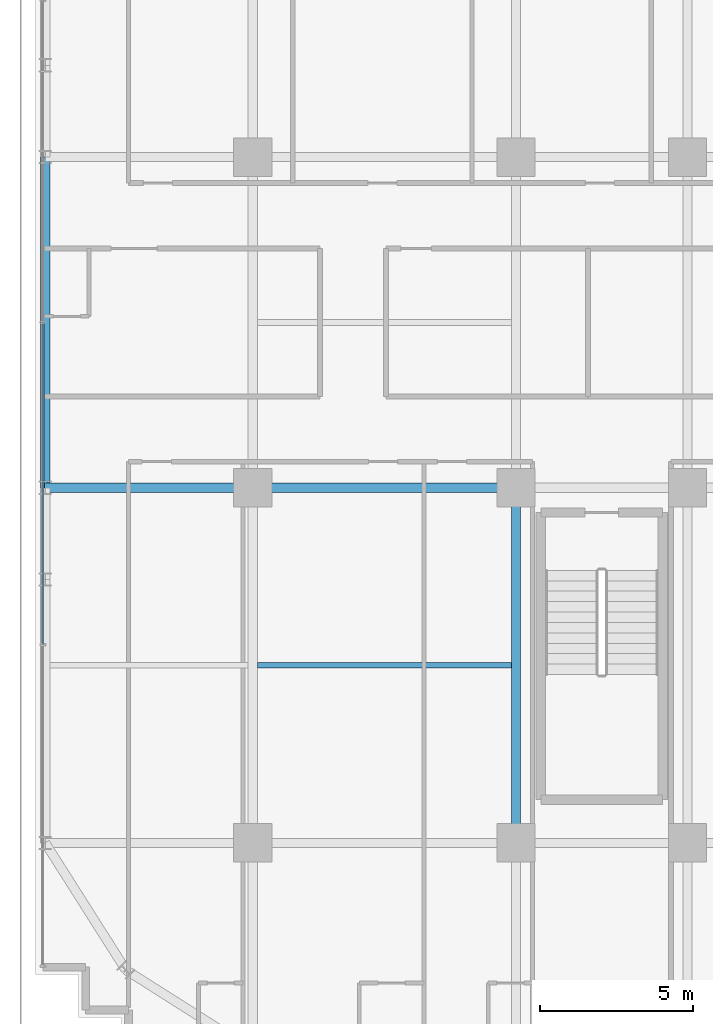
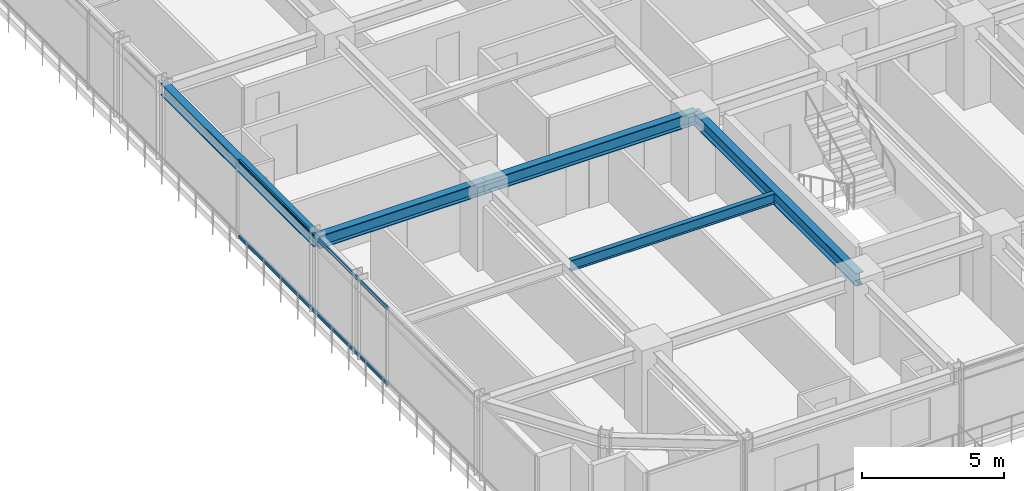
# One storey, part 8 of 34: 5 beams, 2 members, 1 element without a shape of its own.
"""IFC4 building model written with IfcOpenShell, lengths in metres."""

from ifc_helpers import new_model, si_unit, direction, frame, origin, origin_2d, place, context, subcontext, project, spatial, hollow_rectangle, i_section, extrude, source, transform, mapped, material, material_profile, profile_set, type_object, element, aggregate, save


model = new_model("IFC4")

# Units and contexts
model_context = context("Model", 3, precision=1e-05, world=origin(), true_north=direction((0.0, 1.0)))
body_context = subcontext(model_context, "Body", "Model", "MODEL_VIEW")
ifc_project = project(units=[si_unit("LENGTHUNIT", "METRE"), si_unit("AREAUNIT", "SQUARE_METRE"), si_unit("VOLUMEUNIT", "CUBIC_METRE"), si_unit("PLANEANGLEUNIT", "RADIAN"), si_unit("MASSUNIT", "GRAM", prefix="KILO")], contexts=[model_context])

# Site, building, storey
site_placement = place(None, origin())
site = spatial("IfcSite", under=ifc_project, at=site_placement, CompositionType="ELEMENT")
building_placement = place(site_placement, origin())
building = spatial("IfcBuilding", under=site, at=building_placement, Name="Nahalor Promenade Grand Hotel", CompositionType="ELEMENT")
storey_placement = place(building_placement, frame((0.0, 0.0, 88.300048828125)))
storey = spatial("IfcBuildingStorey", under=building, at=storey_placement, Name="L21", CompositionType="ELEMENT", Elevation=88.300048828125)

# Beams
ifc_material_1 = material(Name="Steel S355JR", Category="steel")
ifc_material_profile_1 = material_profile(ifc_material_1, i_section(OverallWidth=0.3, OverallDepth=0.5, WebThickness=0.0145, FlangeThickness=0.028, at=origin_2d()), Name="HEB 500")
ifc_profile_set_1 = profile_set([ifc_material_profile_1], Name="Steel S355JR")
beam_type_1 = type_object("IfcBeamType", Name="Beam-Spandrel-HEB500", PredefinedType="SPANDREL", material=ifc_profile_set_1)
shared_shape_1 = source(origin(), body_context, "Body", "SweptSolid", [
    extrude(i_section(OverallWidth=0.3, OverallDepth=0.5, WebThickness=0.0145, FlangeThickness=0.028, at=origin_2d()), origin(), (0.0, 0.0, 1.0), 10.7998046875),
])
beam_1_placement = place(storey_placement, frame((-23.780029296875, -5.39990234375, 3.1298828125), z_axis=(0.0, 1.0, 0.0), x_axis=(-1.0, 0.0, 0.0)))
element("IfcBeam", 1, at=beam_1_placement, inside=storey, type_object=beam_type_1, Name="BM-L21-SP-W-2", PredefinedType="SPANDREL", context=body_context, shape_type="MappedRepresentation", body=[
    mapped(shared_shape_1, transform((0.0, 0.0, 0.0), scale=1.0)),
])
ifc_material_profile_2 = material_profile(ifc_material_1, i_section(OverallWidth=0.3, OverallDepth=0.55, WebThickness=0.015, FlangeThickness=0.029, at=origin_2d()), Name="HEB 550")
ifc_profile_set_2 = profile_set([ifc_material_profile_2], Name="Steel S355JR")
beam_type_2 = type_object("IfcBeamType", Name="Beam-Girder-HEB550", PredefinedType="BEAM", material=ifc_profile_set_2)
shared_shape_2 = source(origin(), body_context, "Body", "SweptSolid", [
    extrude(i_section(OverallWidth=0.3, OverallDepth=0.55, WebThickness=0.015, FlangeThickness=0.029, at=origin_2d()), origin(), (0.0, 0.0, 1.0), 6.780029296875),
])
beam_2_placement = place(storey_placement, frame((-23.780029296875, -5.39990234375, 3.10498046875), z_axis=(1.0, 0.0, 0.0), x_axis=(0.0, 1.0, 0.0)))
element("IfcBeam", 2, at=beam_2_placement, inside=storey, type_object=beam_type_2, Name="BM-L21-GX-1-0", PredefinedType="BEAM", context=body_context, shape_type="MappedRepresentation", body=[
    mapped(shared_shape_2, transform((0.0, 0.0, 0.0), scale=1.0)),
])
shared_shape_3 = source(origin(), body_context, "Body", "SweptSolid", [
    extrude(i_section(OverallWidth=0.3, OverallDepth=0.55, WebThickness=0.015, FlangeThickness=0.029, at=origin_2d()), origin(), (0.0, 0.0, 1.0), 8.60009765625),
])
beam_3_placement = place(storey_placement, frame((-17.0, -5.39990234375, 3.10498046875), z_axis=(1.0, 0.0, 0.0), x_axis=(0.0, 1.0, 0.0)))
element("IfcBeam", 3, at=beam_3_placement, inside=storey, type_object=beam_type_2, Name="BM-L21-GX-1-1", PredefinedType="BEAM", context=body_context, shape_type="MappedRepresentation", body=[
    mapped(shared_shape_3, transform((0.0, 0.0, 0.0), scale=1.0)),
])
shared_shape_4 = source(origin(), body_context, "Body", "SweptSolid", [
    extrude(i_section(OverallWidth=0.3, OverallDepth=0.55, WebThickness=0.015, FlangeThickness=0.029, at=origin_2d()), origin(), (0.0, 0.0, 1.0), 11.60009765625),
])
beam_4_placement = place(storey_placement, frame((-8.39990234375, -17.0, 3.10498046875), z_axis=(0.0, 1.0, 0.0), x_axis=(-1.0, 0.0, 0.0)))
element("IfcBeam", 4, at=beam_4_placement, inside=storey, type_object=beam_type_2, Name="BM-L21-GY-1-1", PredefinedType="BEAM", context=body_context, shape_type="MappedRepresentation", body=[
    mapped(shared_shape_4, transform((0.0, 0.0, 0.0), scale=1.0)),
])
ifc_material_profile_3 = material_profile(ifc_material_1, i_section(OverallWidth=0.19, OverallDepth=0.45, WebThickness=0.0094, FlangeThickness=0.0146, at=origin_2d()), Name="IPE 450")
ifc_profile_set_3 = profile_set([ifc_material_profile_3], Name="Steel S355JR")
beam_type_3 = type_object("IfcBeamType", Name="Beam-Joist-IPE450", PredefinedType="JOIST", material=ifc_profile_set_3)
shared_shape_5 = source(origin(), body_context, "Body", "SweptSolid", [
    extrude(i_section(OverallWidth=0.19, OverallDepth=0.45, WebThickness=0.0094, FlangeThickness=0.0146, at=origin_2d()), origin(), (0.0, 0.0, 1.0), 8.300048828125),
])
beam_5_placement = place(storey_placement, frame((-16.85009765625, -11.199951171875, 3.155029296875), z_axis=(1.0, 0.0, 0.0), x_axis=(0.0, 1.0, 0.0)))
element("IfcBeam", 5, at=beam_5_placement, inside=storey, type_object=beam_type_3, Name="BM-L21-JSW-0-1", PredefinedType="JOIST", context=body_context, shape_type="MappedRepresentation", body=[
    mapped(shared_shape_5, transform((0.0, 0.0, 0.0), scale=1.0)),
])

# Curtain wall, members
ifc_material_2 = material(Name="Anodised Bronze Aluminium EN AW-6063 T6", Category="aluminium")
curtain_wall_type = type_object("IfcCurtainWallType", Name="CW2 Typical Hotel Flush Bronze Unitised Curtain Wall", PredefinedType="USERDEFINED", material=ifc_material_2)
curtain_wall_placement = place(storey_placement, origin())
curtain_wall = element("IfcCurtainWall", 6, at=curtain_wall_placement, inside=storey, type_object=curtain_wall_type, Name="L21 Curtain Wall CW-L21-W-1", ObjectType="UNITISED_CURTAIN_WALL", PredefinedType="USERDEFINED")
ifc_material_profile_4 = material_profile(ifc_material_2, hollow_rectangle(XDim=0.065, YDim=0.13, WallThickness=0.004, at=origin_2d()), Name="CWT 65x130x4")
ifc_profile_set_4 = profile_set([ifc_material_profile_4], Name="Anodised Bronze Aluminium EN AW-6063 T6")
member_type = type_object("IfcMemberType", Name="CWT2 Typical Bronze Transom 65x130", PredefinedType="USERDEFINED", material=ifc_profile_set_4)
shared_shape_6 = source(origin(), body_context, "Body", "SweptSolid", [
    extrude(hollow_rectangle(XDim=0.065, YDim=0.13, WallThickness=0.004, at=origin_2d()), origin(), (0.0, 0.0, 1.0), 10.465087890625),
])
member_1_placement = place(storey_placement, frame((-23.860107421875, -10.49755859375, 0.06494140625), z_axis=(0.0, 1.0, 0.0), x_axis=(-1.0, 0.0, 0.0)))
member_1 = element("IfcMember", 7, at=member_1_placement, type_object=member_type, Name="CW-L21-W-1 Transom 1-0", ObjectType="TRANSOM", PredefinedType="USERDEFINED", context=body_context, shape_type="MappedRepresentation", body=[
    mapped(shared_shape_6, transform((0.0, 0.0, 0.0), scale=1.0)),
])
member_2_placement = place(storey_placement, frame((-23.860107421875, -10.49755859375, 3.31494140625), z_axis=(0.0, 1.0, 0.0), x_axis=(-1.0, 0.0, 0.0)))
member_2 = element("IfcMember", 8, at=member_2_placement, type_object=member_type, Name="CW-L21-W-1 Transom 1-1", ObjectType="TRANSOM", PredefinedType="USERDEFINED", context=body_context, shape_type="MappedRepresentation", body=[
    mapped(shared_shape_6, transform((0.0, 0.0, 0.0), scale=1.0)),
])
aggregate(curtain_wall, [member_1, member_2])

save(model, "model.ifc")
